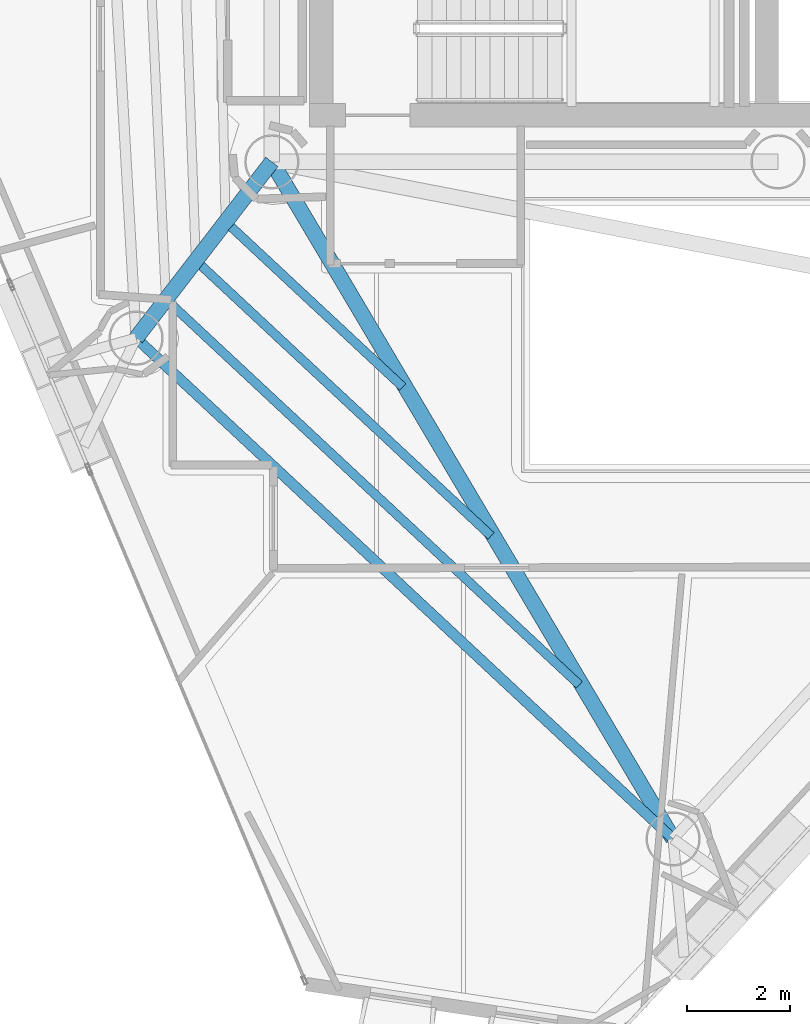
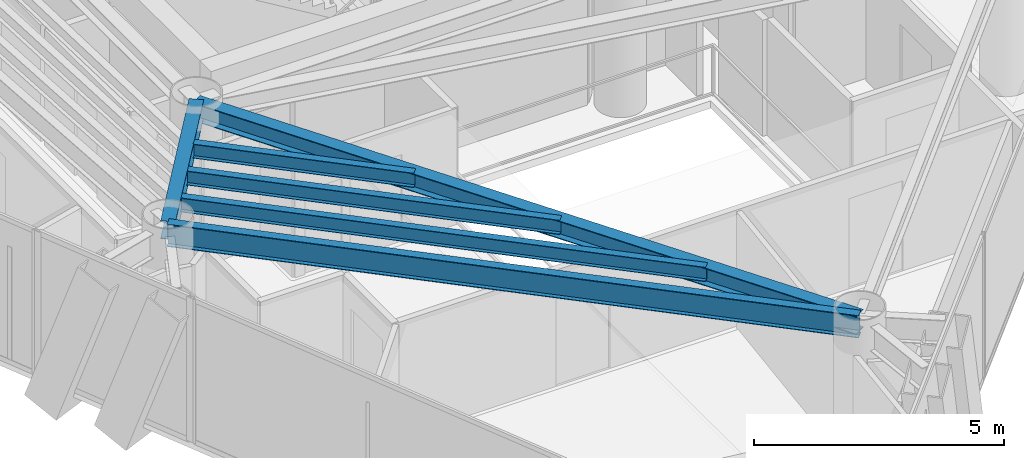
# One storey, part 3 of 21: 6 beams.
"""IFC4 building model written with IfcOpenShell, lengths in metres."""

import ifcopenshell
import ifcopenshell.guid

model = None  # the IFC model being written
_history = None  # IfcOwnerHistory: only IFC2X3 demands one
_inside = {}  # id of a spatial element -> (the spatial element, [elements in it])
_under = {}  # id of a project, library or spatial element -> (it, [spatial elements below it])
_declared = {}  # id of a project -> (the project, [libraries it declares])
_typed = {}  # id of a type object -> (the type object, [elements of that type])
_made_of = {}  # id of a material, layer set ... -> (it, [elements and type objects made of it])


def new_model(schema):
    """Start an empty IFC model of exactly this schema.

    Asked for "IFC4X3", IfcOpenShell would pick the latest addendum, in which some entities
    have other attributes; the version numbers below select the first issue.
    IFC2X3 requires an IfcOwnerHistory on every rooted entity: one is made here for all.
    """
    global model, _history
    if schema == "IFC4X3":
        model = ifcopenshell.file(schema_version=(4, 3, 0, 0))
    else:
        model = ifcopenshell.file(schema=schema)
    _inside.clear()
    _under.clear()
    _declared.clear()
    _typed.clear()
    _made_of.clear()
    _history = None
    if model.schema == "IFC2X3":
        org = make("IfcOrganization", Name="unknown")
        user = make(
            "IfcPersonAndOrganization",
            ThePerson=make("IfcPerson", FamilyName="unknown"),
            TheOrganization=org,
        )
        app = make(
            "IfcApplication",
            ApplicationDeveloper=org,
            Version="unknown",
            ApplicationFullName="unknown",
            ApplicationIdentifier="unknown",
        )
        _history = make(
            "IfcOwnerHistory",
            OwningUser=user,
            OwningApplication=app,
            ChangeAction="ADDED",
            CreationDate=0,
        )
    return model


def make(cls, **values):
    """One entity of the class cls with the attributes given. An attribute that is None is left unset."""
    return model.create_entity(
        cls, **{name: value for name, value in values.items() if value is not None}
    )


def rooted(cls, **values):
    """An entity with a GlobalId (a new one), such as an element, a storey or a relation."""
    return make(cls, GlobalId=ifcopenshell.guid.new(), OwnerHistory=_history, **values)


def si_unit(unit_type, name, prefix=None):
    """IfcSIUnit, for example si_unit("LENGTHUNIT", "METRE", prefix="MILLI")."""
    return make("IfcSIUnit", UnitType=unit_type, Prefix=prefix, Name=name)


def assignment(units):
    """IfcUnitAssignment: the units of a project."""
    return None if units is None else make("IfcUnitAssignment", Units=units)


def point(xyz):
    """IfcCartesianPoint."""
    return None if xyz is None else make("IfcCartesianPoint", Coordinates=xyz)


def direction(xyz):
    """IfcDirection."""
    return None if xyz is None else make("IfcDirection", DirectionRatios=xyz)


def frame(location, z_axis=None, x_axis=None):
    """IfcAxis2Placement3D, a coordinate frame: its origin and axes. An axis left out is left unset."""
    return make(
        "IfcAxis2Placement3D",
        Location=point(location),
        Axis=direction(z_axis),
        RefDirection=direction(x_axis),
    )


def frame_2d(location, x_axis=None):
    """IfcAxis2Placement2D, a coordinate frame in the plane: its origin and x axis."""
    return make(
        "IfcAxis2Placement2D", Location=point(location), RefDirection=direction(x_axis)
    )


def origin():
    """The frame at (0, 0, 0) with its axes left unset."""
    return frame((0.0, 0.0, 0.0))


def origin_2d():
    """The frame at (0, 0) in the plane with its x axis left unset."""
    return frame_2d((0.0, 0.0))


def place(relative_to, where):
    """IfcLocalPlacement: puts the frame where relative to a parent placement (None: the world)."""
    return make(
        "IfcLocalPlacement", PlacementRelTo=relative_to, RelativePlacement=where
    )


def context(
    kind, dimensions, precision=None, world=None, true_north=None, identifier=None
):
    """IfcGeometricRepresentationContext, for example the 3D "Model" context."""
    return make(
        "IfcGeometricRepresentationContext",
        ContextIdentifier=identifier,
        ContextType=kind,
        CoordinateSpaceDimension=dimensions,
        Precision=precision,
        WorldCoordinateSystem=world,
        TrueNorth=true_north,
    )


def subcontext(parent, identifier, kind, view, scale=None):
    """IfcGeometricRepresentationSubContext, for example "Body" below "Model"."""
    return make(
        "IfcGeometricRepresentationSubContext",
        ContextIdentifier=identifier,
        ContextType=kind,
        ParentContext=parent,
        TargetScale=scale,
        TargetView=view,
    )


def project(units=None, contexts=None):
    """IfcProject with its units and contexts."""
    return rooted(
        "IfcProject",
        Name="project",
        RepresentationContexts=contexts,
        UnitsInContext=assignment(units),
    )


def spatial(cls, under=None, at=None, **own):
    """A site, building, storey or space (cls), placed at a placement, below another one or the project."""
    s = rooted(cls, ObjectPlacement=at, **own)
    if under is not None:
        _under.setdefault(under.id(), (under, []))[1].append(s)
    return s


def profile(cls, at=None, kind="AREA", **sizes):
    """A parametric profile (cls). Its sizes go by their IFC names, for example OverallWidth=200.0."""
    return make(cls, ProfileType=kind, Position=at, **sizes)


def i_section(**sizes):
    """IfcIShapeProfileDef."""
    return profile("IfcIShapeProfileDef", **sizes)


def extrude(swept, where, along, depth):
    """IfcExtrudedAreaSolid: the profile swept, set in the frame where, extruded along a direction by depth."""
    return make(
        "IfcExtrudedAreaSolid",
        SweptArea=swept,
        Position=where,
        ExtrudedDirection=direction(along),
        Depth=depth,
    )


def shape(context_of_items, identifier, shape_type, items):
    """IfcShapeRepresentation: the items that make up one representation, for example the "Body"."""
    return make(
        "IfcShapeRepresentation",
        ContextOfItems=context_of_items,
        RepresentationIdentifier=identifier,
        RepresentationType=shape_type,
        Items=items,
    )


def material(Name=None, Category=None):
    """IfcMaterial."""
    return make("IfcMaterial", Name=Name, Category=Category)


def material_profile(
    of_material, cross_section, Name=None, Category=None, Priority=None
):
    """IfcMaterialProfile: a cross section and its material."""
    return make(
        "IfcMaterialProfile",
        Name=Name,
        Material=of_material,
        Profile=cross_section,
        Priority=Priority,
        Category=Category,
    )


def profile_set(profiles, Name=None, composite=None):
    """IfcMaterialProfileSet."""
    return make(
        "IfcMaterialProfileSet",
        Name=Name,
        MaterialProfiles=profiles,
        CompositeProfile=composite,
    )


def made_of(thing, what):
    """Note that an element or type object is made of a material, layer set ...; save() writes the relation."""
    if what is not None:
        _made_of.setdefault(what.id(), (what, []))[1].append(thing)
    return thing


def type_object(cls, material=None, **own):
    """A type object (cls), such as IfcWallType, which elements share."""
    return made_of(rooted(cls, **own), material)


def element(
    cls,
    number,
    at=None,
    inside=None,
    cuts=None,
    type_object=None,
    material=None,
    context=None,
    identifier="Body",
    shape_type=None,
    held_by="IfcProductDefinitionShape",
    body=None,
    shapes=None,
    **own,
):
    """One element of the class cls, such as IfcWall. Its Tag is "e" and its number.

    at: its placement. inside: the storey or other place that contains it. cuts: it is an
    opening in that element (IfcRelVoidsElement). A single representation is given by context,
    identifier, shape_type and body (its items); several are given by shapes. held_by: the class
    of the entity that holds the representations. save() writes the other relations.
    """
    e = rooted(cls, Tag="e%d" % number, ObjectPlacement=at, **own)
    if body is not None:
        shapes = [shape(context, identifier, shape_type, body)]
    if shapes is not None:
        e.Representation = make(held_by, Representations=shapes)
    if inside is not None:
        _inside.setdefault(inside.id(), (inside, []))[1].append(e)
    if cuts is not None:
        rooted(
            "IfcRelVoidsElement", RelatingBuildingElement=cuts, RelatedOpeningElement=e
        )
    if type_object is not None:
        _typed.setdefault(type_object.id(), (type_object, []))[1].append(e)
    return made_of(e, material)


def aggregate(whole, parts):
    """IfcRelAggregates: a whole, such as a stair, and the parts it consists of."""
    return rooted("IfcRelAggregates", RelatingObject=whole, RelatedObjects=parts)


def save(model, path):
    """Write the relations noted so far, then the file.

    IfcRelAggregates (storeys below a building ...), IfcRelContainedInSpatialStructure (elements
    in a storey), IfcRelDefinesByType, IfcRelAssociatesMaterial and IfcRelDeclares: one each for
    every whole, place, type object, material and project.
    """
    for whole, parts in _under.values():
        aggregate(whole, parts)
    for where, things in _inside.values():
        rooted(
            "IfcRelContainedInSpatialStructure",
            RelatedElements=things,
            RelatingStructure=where,
        )
    for kind, things in _typed.values():
        rooted("IfcRelDefinesByType", RelatedObjects=things, RelatingType=kind)
    for what, things in _made_of.values():
        rooted("IfcRelAssociatesMaterial", RelatedObjects=things, RelatingMaterial=what)
    for by, libraries in _declared.values():
        rooted("IfcRelDeclares", RelatingContext=by, RelatedDefinitions=libraries)
    model.write(path)


model = new_model("IFC4")

# Units and contexts
model_context = context("Model", 3, precision=1e-05, world=origin(), true_north=direction((0.0, 1.0)))
body_context = subcontext(model_context, "Body", "Model", "MODEL_VIEW")
ifc_project = project(units=[si_unit("LENGTHUNIT", "METRE"), si_unit("AREAUNIT", "SQUARE_METRE"), si_unit("VOLUMEUNIT", "CUBIC_METRE"), si_unit("PLANEANGLEUNIT", "RADIAN"), si_unit("MASSUNIT", "GRAM", prefix="KILO")], contexts=[model_context])

# Site, building, storey
site_placement = place(None, origin())
site = spatial("IfcSite", under=ifc_project, at=site_placement, CompositionType="ELEMENT")
building_placement = place(site_placement, origin())
building = spatial("IfcBuilding", under=site, at=building_placement, Name="Qianvela Tower", CompositionType="ELEMENT")
storey_placement = place(building_placement, frame((0.0, 0.0, 246.39990234375)))
storey = spatial("IfcBuildingStorey", under=building, at=storey_placement, Name="L63", CompositionType="ELEMENT", Elevation=246.39990234375)

# Beams
ifc_material_1 = material(Name="Steel Q355B", Category="steel")
ifc_material_profile_1 = material_profile(ifc_material_1, i_section(OverallWidth=0.300048828125, OverallDepth=0.43994140625, WebThickness=0.010986328125, FlangeThickness=0.01806640625, at=origin_2d()), Name="HM440x300x11x18")
ifc_profile_set_1 = profile_set([ifc_material_profile_1], Name="Steel Q355B")
beam_type_1 = type_object("IfcBeamType", Name="BM-HM440-COLL", PredefinedType="BEAM", material=ifc_profile_set_1)
beam_1_placement = place(storey_placement, frame((28.60009765625, 23.85009765625, 3.298095703125), z_axis=(-0.610107831638, -0.792318391667, 0.0), x_axis=(0.792318391667, -0.610107831638, 0.0)))
element("IfcBeam", 1, at=beam_1_placement, inside=storey, type_object=beam_type_1, Name="L63 Radial Primary Floor Girder 4", PredefinedType="BEAM", context=body_context, shape_type="SweptSolid", body=[
    extrude(i_section(OverallWidth=0.300048828125, OverallDepth=0.43994140625, WebThickness=0.010986328125, FlangeThickness=0.01806640625, at=origin_2d()), origin(), (0.0, 0.0, 1.0), 4.3076171875),
])
beam_2_placement = place(storey_placement, frame((28.60009765625, 23.85009765625, 3.298095703125), z_axis=(0.509851140096, -0.860262643001, 0.0), x_axis=(0.860262643001, 0.509851140096, 0.0)))
element("IfcBeam", 2, at=beam_2_placement, inside=storey, type_object=beam_type_1, Name="L63 Radial Primary Floor Girder 5", PredefinedType="BEAM", context=body_context, shape_type="SweptSolid", body=[
    extrude(i_section(OverallWidth=0.300048828125, OverallDepth=0.43994140625, WebThickness=0.010986328125, FlangeThickness=0.01806640625, at=origin_2d()), origin(), (0.0, 0.0, 1.0), 15.2373046875),
])
ifc_material_2 = material(Name="Steel Q355B", Category="steel")
ifc_material_profile_2 = material_profile(ifc_material_2, i_section(OverallWidth=0.175048828125, OverallDepth=0.35009765625, WebThickness=0.007080078125, FlangeThickness=0.010986328125, at=origin_2d()), Name="HN350x175x7x11")
ifc_profile_set_2 = profile_set([ifc_material_profile_2], Name="Steel Q355B")
beam_type_2 = type_object("IfcBeamType", Name="BM-HN350-JOIST", PredefinedType="JOIST", material=ifc_profile_set_2)
beam_3_placement = place(storey_placement, frame((27.813232421875, 22.590087890625, 3.343017578125), z_axis=(0.731376968526, -0.681973408506, 0.0), x_axis=(0.681973408506, 0.731376968526, 0.0)))
element("IfcBeam", 3, at=beam_3_placement, inside=storey, type_object=beam_type_2, Name="L63 Secondary Composite Floor Joist 4.1", PredefinedType="JOIST", context=body_context, shape_type="SweptSolid", body=[
    extrude(i_section(OverallWidth=0.175048828125, OverallDepth=0.35009765625, WebThickness=0.007080078125, FlangeThickness=0.010986328125, at=origin_2d()), origin(), (0.0, 0.0, 1.0), 4.54150390625),
])
beam_4_placement = place(storey_placement, frame((27.235107421875, 21.839111328125, 3.343017578125), z_axis=(0.731379132366, -0.681971087906, 0.0), x_axis=(0.681971087906, 0.731379132366, 0.0)))
element("IfcBeam", 4, at=beam_4_placement, inside=storey, type_object=beam_type_2, Name="L63 Secondary Composite Floor Joist 4.2", PredefinedType="JOIST", context=body_context, shape_type="SweptSolid", body=[
    extrude(i_section(OverallWidth=0.175048828125, OverallDepth=0.35009765625, WebThickness=0.007080078125, FlangeThickness=0.010986328125, at=origin_2d()), origin(), (0.0, 0.0, 1.0), 7.6689453125),
])
beam_5_placement = place(storey_placement, frame((26.656982421875, 21.08837890625, 3.343017578125), z_axis=(0.731358246127, -0.681993486641, 0.0), x_axis=(0.681993486641, 0.731358246127, 0.0)))
element("IfcBeam", 5, at=beam_5_placement, inside=storey, type_object=beam_type_2, Name="L63 Secondary Composite Floor Joist 4.3", PredefinedType="JOIST", context=body_context, shape_type="SweptSolid", body=[
    extrude(i_section(OverallWidth=0.175048828125, OverallDepth=0.35009765625, WebThickness=0.007080078125, FlangeThickness=0.010986328125, at=origin_2d()), origin(), (0.0, 0.0, 1.0), 10.79638671875),
])
ifc_material_3 = material(Name="Steel Q355B", Category="steel")
ifc_material_profile_3 = material_profile(ifc_material_3, i_section(OverallWidth=0.199951171875, OverallDepth=0.550048828125, WebThickness=0.010009765625, FlangeThickness=0.01611328125, at=origin_2d()), Name="HN550x200x10x16")
ifc_profile_set_3 = profile_set([ifc_material_profile_3], Name="Steel Q355B")
beam_type_3 = type_object("IfcBeamType", Name="BM-HN550-GIRD", PredefinedType="BEAM", material=ifc_profile_set_3)
beam_6_placement = place(storey_placement, frame((25.971923828125, 20.43701171875, 3.2431640625), z_axis=(0.731363016694, -0.681988370731, 0.0), x_axis=(0.681988370731, 0.731363016694, 0.0)))
element("IfcBeam", 6, at=beam_6_placement, inside=storey, type_object=beam_type_3, Name="L63 Perimeter Ring Spandrel Girder 4", PredefinedType="BEAM", context=body_context, shape_type="SweptSolid", body=[
    extrude(i_section(OverallWidth=0.199951171875, OverallDepth=0.550048828125, WebThickness=0.010009765625, FlangeThickness=0.01611328125, at=origin_2d()), origin(), (0.0, 0.0, 1.0), 14.2158203125),
])

save(model, "model.ifc")
